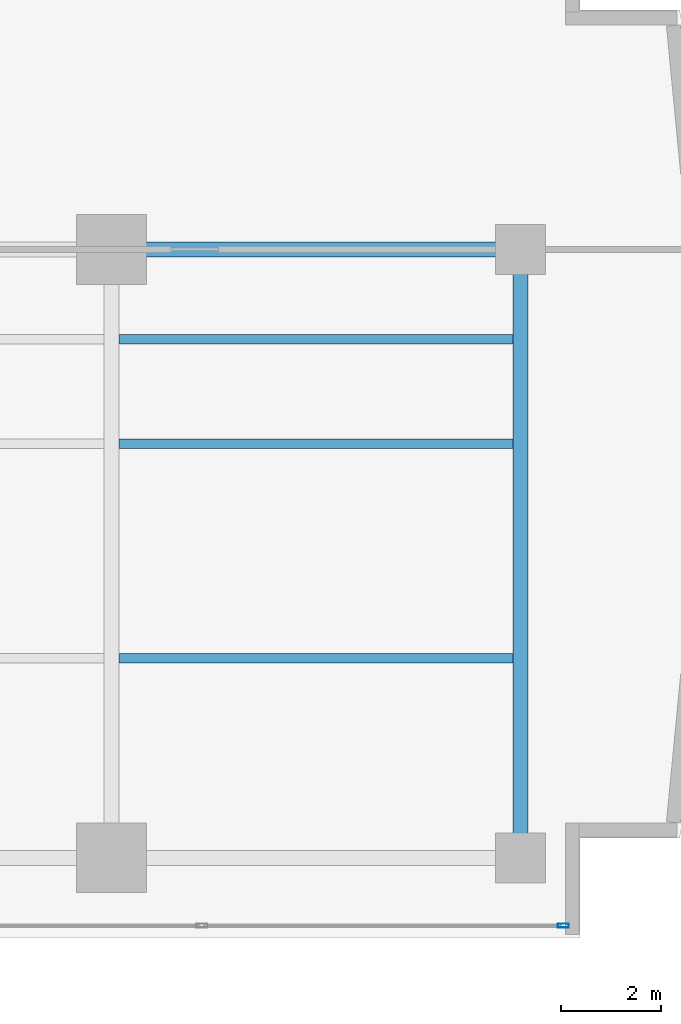
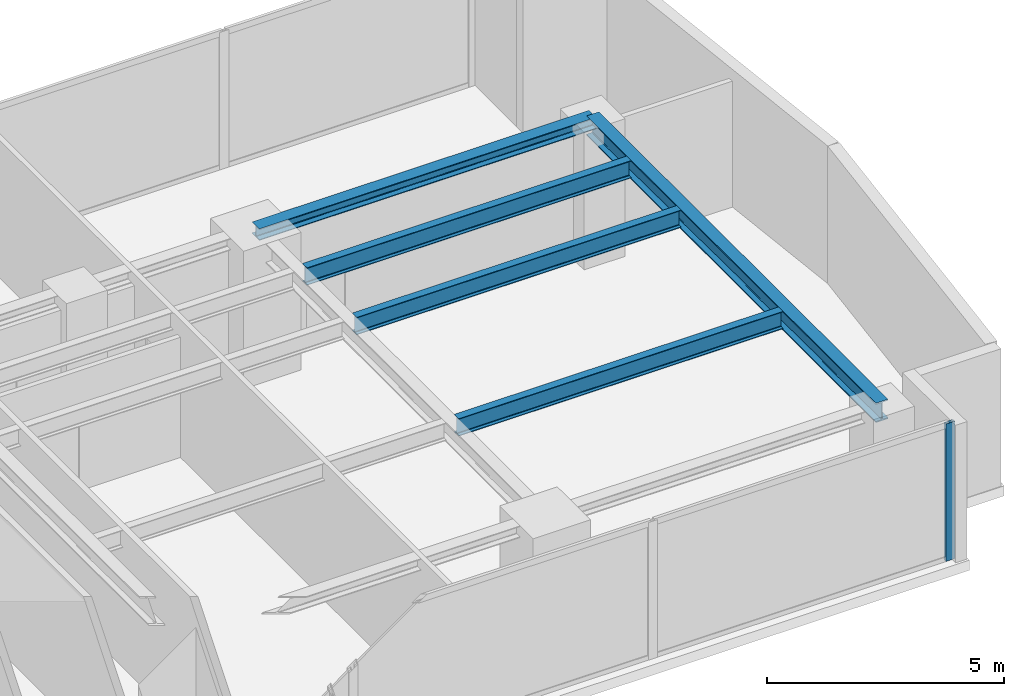
# One storey, part 13 of 27: 5 beams, 1 member, 1 element without a shape of its own.
"""IFC4 building model written with IfcOpenShell, lengths in metres."""

from ifc_helpers import new_model, si_unit, direction, frame, origin, origin_with_axes, origin_2d, place, context, subcontext, project, spatial, hollow_rectangle, i_section, extrude, source, transform, mapped, material, layer, layer_set, material_profile, profile_set, type_object, element, aggregate, save


model = new_model("IFC4")

# Units and contexts
model_context = context("Model", 3, precision=1e-05, world=origin(), true_north=direction((0.0, 1.0)))
body_context = subcontext(model_context, "Body", "Model", "MODEL_VIEW")
ifc_project = project(units=[si_unit("LENGTHUNIT", "METRE"), si_unit("AREAUNIT", "SQUARE_METRE"), si_unit("VOLUMEUNIT", "CUBIC_METRE"), si_unit("PLANEANGLEUNIT", "RADIAN"), si_unit("MASSUNIT", "GRAM", prefix="KILO")], contexts=[model_context])

# Site, building, storey
site_placement = place(None, origin())
site = spatial("IfcSite", under=ifc_project, at=site_placement, CompositionType="ELEMENT")
building_placement = place(site_placement, origin())
building = spatial("IfcBuilding", under=site, at=building_placement, Name="Kolvaren Waterfront Exchange", CompositionType="ELEMENT")
storey_placement = place(building_placement, frame((0.0, 0.0, 118.300048828125)))
storey = spatial("IfcBuildingStorey", under=building, at=storey_placement, Name="L30", CompositionType="ELEMENT", Elevation=118.300048828125)

# Beams
ifc_material_1 = material(Name="Steel S355", Category="steel")
ifc_material_profile_1 = material_profile(ifc_material_1, i_section(OverallWidth=0.300048828125, OverallDepth=0.300048828125, WebThickness=0.010986328125, FlangeThickness=0.01904296875, FilletRadius=0.027099609375, at=origin_2d()), Name="HEB300")
ifc_profile_set_1 = profile_set([ifc_material_profile_1], Name="Steel S355")
beam_type_1 = type_object("IfcBeamType", Name="STR-BM-HEB300", PredefinedType="SPANDREL", material=ifc_profile_set_1)
beam_1_placement = place(storey_placement, frame((45.60009765625, 17.39990234375, 3.389892578125), z_axis=(1.0, 0.0, 0.0), x_axis=(0.0, 1.0, 0.0)))
element("IfcBeam", 1, at=beam_1_placement, inside=storey, type_object=beam_type_1, Name="L30 east-arm spandrel N4", PredefinedType="SPANDREL", context=body_context, shape_type="SweptSolid", body=[
    extrude(i_section(OverallWidth=0.300048828125, OverallDepth=0.300048828125, WebThickness=0.010986328125, FlangeThickness=0.01904296875, FilletRadius=0.027099609375, at=origin_2d()), origin(), (0.0, 0.0, 1.0), 8.199951171875),
])
ifc_material_profile_2 = material_profile(ifc_material_1, i_section(OverallWidth=0.300048828125, OverallDepth=0.5, WebThickness=0.014404296875, FlangeThickness=0.028076171875, FilletRadius=0.027099609375, at=origin_2d()), Name="HEB500")
ifc_profile_set_2 = profile_set([ifc_material_profile_2], Name="Steel S355")
beam_type_2 = type_object("IfcBeamType", Name="STR-BM-HEB500", PredefinedType="BEAM", material=ifc_profile_set_2)
beam_2_placement = place(storey_placement, frame((53.800048828125, 5.199951171875, 3.2900390625), z_axis=(0.0, 1.0, 0.0), x_axis=(-1.0, 0.0, 0.0)))
element("IfcBeam", 2, at=beam_2_placement, inside=storey, type_object=beam_type_2, Name="L30 east-arm transverse girder X53", PredefinedType="BEAM", context=body_context, shape_type="SweptSolid", body=[
    extrude(i_section(OverallWidth=0.300048828125, OverallDepth=0.5, WebThickness=0.014404296875, FlangeThickness=0.028076171875, FilletRadius=0.027099609375, at=origin_2d()), origin(), (0.0, 0.0, 1.0), 12.199951171875),
])
ifc_material_profile_3 = material_profile(ifc_material_1, i_section(OverallWidth=0.18994140625, OverallDepth=0.449951171875, WebThickness=0.009521484375, FlangeThickness=0.0146484375, FilletRadius=0.02099609375, at=origin_2d()), Name="IPE450")
ifc_profile_set_3 = profile_set([ifc_material_profile_3], Name="Steel S355")
beam_type_3 = type_object("IfcBeamType", Name="STR-BM-IPE450", PredefinedType="JOIST", material=ifc_profile_set_3)
for number, where, z_axis, x_axis, name in (
    (3, (45.751953125, 13.5, 3.31494140625), (1.0, 0.0, 0.0), (0.0, 1.0, 0.0), "L30 east-arm composite joist 4A"),
    (4, (45.751953125, 15.60009765625, 3.31494140625), (1.0, 0.0, 0.0), (0.0, 1.0, 0.0), "L30 east-arm composite joist 4C"),
    (5, (45.751953125, 9.199951171875, 3.31494140625), (1.0, 0.0, 0.0), (0.0, 1.0, 0.0), "L30 east-arm composite joist 4B"),
):
    element("IfcBeam", number, at=place(storey_placement, frame(where, z_axis=z_axis, x_axis=x_axis)), inside=storey, type_object=beam_type_3, Name=name, PredefinedType="JOIST", context=body_context, shape_type="SweptSolid", body=[
        extrude(i_section(OverallWidth=0.18994140625, OverallDepth=0.449951171875, WebThickness=0.009521484375, FlangeThickness=0.0146484375, FilletRadius=0.02099609375, at=origin_2d()), origin(), (0.0, 0.0, 1.0), 7.89599609375),
    ])

# Curtain wall, member
ifc_material_2 = material(Name="Anodised bronze aluminium 6063-T6", Category="aluminium")
ifc_layer = layer(ifc_material_2, 0.219970703125, Name="Anodised bronze aluminium 6063-T6")
ifc_layer_set = layer_set([ifc_layer], Name="Anodised bronze aluminium 6063-T6")
curtain_wall_type = type_object("IfcCurtainWallType", Name="ARC-CW-SYS1", PredefinedType="USERDEFINED", material=ifc_layer_set)
curtain_wall_placement = place(storey_placement, origin())
curtain_wall = element("IfcCurtainWall", 6, at=curtain_wall_placement, inside=storey, type_object=curtain_wall_type, Name="L30 stick curtain wall CW1 (CW-L30-S)", ObjectType="STICK CURTAIN WALL", PredefinedType="USERDEFINED")
ifc_material_3 = material(Name="Anodised aluminium 6063-T6", Category="aluminium")
ifc_material_profile_4 = material_profile(ifc_material_3, hollow_rectangle(XDim=0.080078125, YDim=0.219970703125, WallThickness=0.0048828125, at=origin_2d()), Name="ALU-MUL-220x80x5")
ifc_profile_set_4 = profile_set([ifc_material_profile_4], Name="Anodised aluminium 6063-T6")
member_type = type_object("IfcMemberType", Name="ARC-CWM-220", PredefinedType="MULLION", material=ifc_profile_set_4)
shared_shape = source(origin_with_axes(), body_context, "Body", "SweptSolid", [
    extrude(hollow_rectangle(XDim=0.080078125, YDim=0.219970703125, WallThickness=0.0048828125, at=origin_2d()), origin(), (0.0, 0.0, 1.0), 3.5400390625),
])
member_placement = place(storey_placement, frame((54.659912109375, 3.840087890625, 0.0), z_axis=(0.0, 0.0, 1.0), x_axis=(0.0, 1.0, 0.0)))
member = element("IfcMember", 7, at=member_placement, type_object=member_type, Name="CW1 mullion 8", PredefinedType="MULLION", context=body_context, shape_type="MappedRepresentation", body=[
    mapped(shared_shape, transform((0.0, 0.0, 0.0), x_axis=(1.0, 0.0, 0.0), y_axis=(0.0, 1.0, 0.0), z_axis=(0.0, 0.0, 1.0), scale=1.0)),
])
aggregate(curtain_wall, [member])

save(model, "model.ifc")
